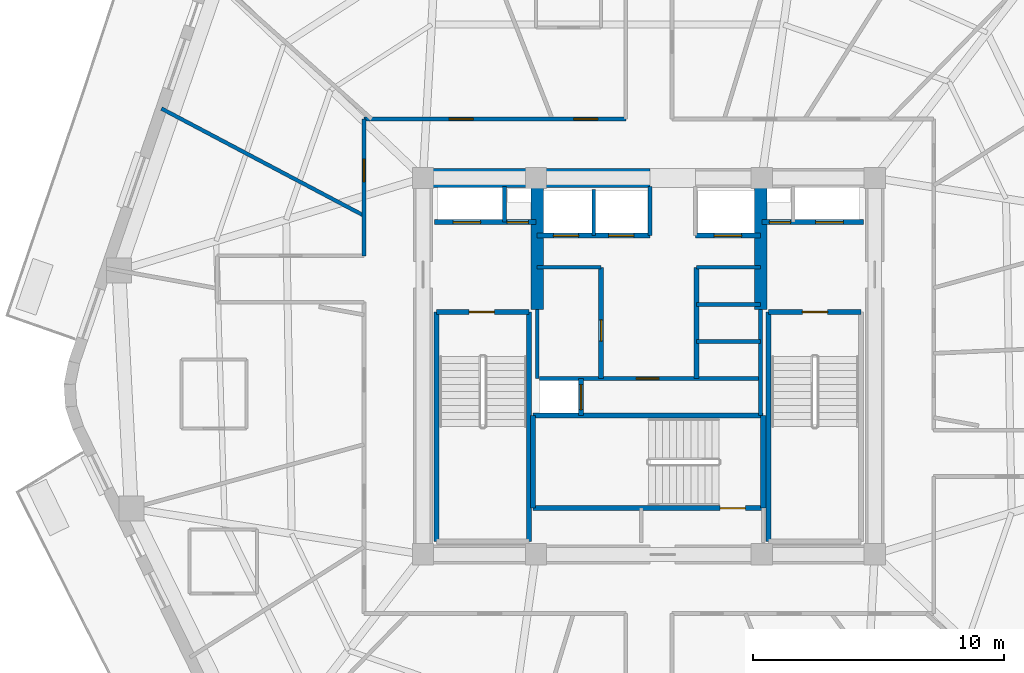
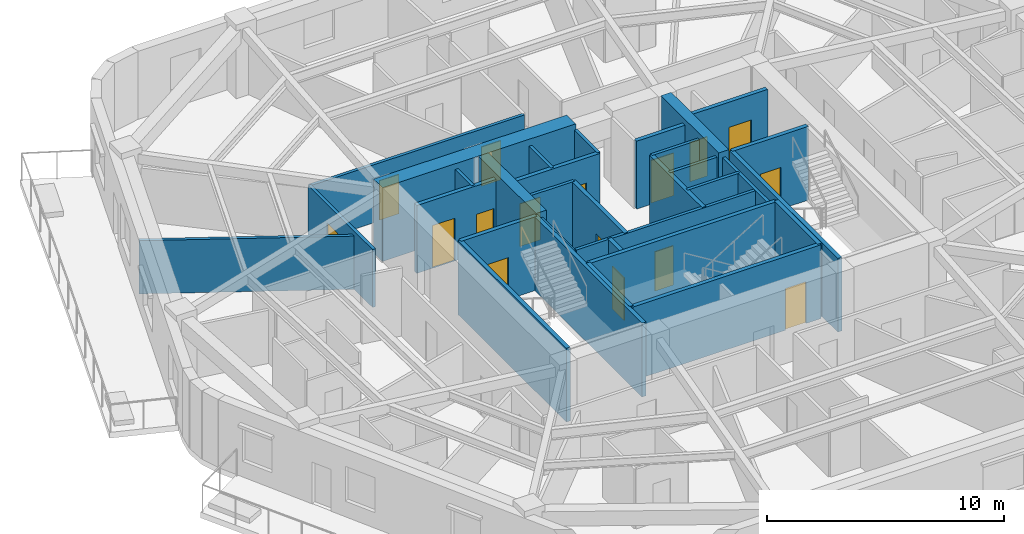
# One storey, part 4 of 10: 32 walls, 16 doors, 16 openings.
"""IFC4 building model written with IfcOpenShell, lengths in metres."""

import ifcopenshell
import ifcopenshell.guid

model = None  # the IFC model being written
_history = None  # IfcOwnerHistory: only IFC2X3 demands one
_inside = {}  # id of a spatial element -> (the spatial element, [elements in it])
_under = {}  # id of a project, library or spatial element -> (it, [spatial elements below it])
_declared = {}  # id of a project -> (the project, [libraries it declares])
_typed = {}  # id of a type object -> (the type object, [elements of that type])
_made_of = {}  # id of a material, layer set ... -> (it, [elements and type objects made of it])


def new_model(schema):
    """Start an empty IFC model of exactly this schema.

    Asked for "IFC4X3", IfcOpenShell would pick the latest addendum, in which some entities
    have other attributes; the version numbers below select the first issue.
    IFC2X3 requires an IfcOwnerHistory on every rooted entity: one is made here for all.
    """
    global model, _history
    if schema == "IFC4X3":
        model = ifcopenshell.file(schema_version=(4, 3, 0, 0))
    else:
        model = ifcopenshell.file(schema=schema)
    _inside.clear()
    _under.clear()
    _declared.clear()
    _typed.clear()
    _made_of.clear()
    _history = None
    if model.schema == "IFC2X3":
        org = make("IfcOrganization", Name="unknown")
        user = make(
            "IfcPersonAndOrganization",
            ThePerson=make("IfcPerson", FamilyName="unknown"),
            TheOrganization=org,
        )
        app = make(
            "IfcApplication",
            ApplicationDeveloper=org,
            Version="unknown",
            ApplicationFullName="unknown",
            ApplicationIdentifier="unknown",
        )
        _history = make(
            "IfcOwnerHistory",
            OwningUser=user,
            OwningApplication=app,
            ChangeAction="ADDED",
            CreationDate=0,
        )
    return model


def make(cls, **values):
    """One entity of the class cls with the attributes given. An attribute that is None is left unset."""
    return model.create_entity(
        cls, **{name: value for name, value in values.items() if value is not None}
    )


def rooted(cls, **values):
    """An entity with a GlobalId (a new one), such as an element, a storey or a relation."""
    return make(cls, GlobalId=ifcopenshell.guid.new(), OwnerHistory=_history, **values)


def si_unit(unit_type, name, prefix=None):
    """IfcSIUnit, for example si_unit("LENGTHUNIT", "METRE", prefix="MILLI")."""
    return make("IfcSIUnit", UnitType=unit_type, Prefix=prefix, Name=name)


def assignment(units):
    """IfcUnitAssignment: the units of a project."""
    return None if units is None else make("IfcUnitAssignment", Units=units)


def point(xyz):
    """IfcCartesianPoint."""
    return None if xyz is None else make("IfcCartesianPoint", Coordinates=xyz)


def direction(xyz):
    """IfcDirection."""
    return None if xyz is None else make("IfcDirection", DirectionRatios=xyz)


def frame(location, z_axis=None, x_axis=None):
    """IfcAxis2Placement3D, a coordinate frame: its origin and axes. An axis left out is left unset."""
    return make(
        "IfcAxis2Placement3D",
        Location=point(location),
        Axis=direction(z_axis),
        RefDirection=direction(x_axis),
    )


def frame_2d(location, x_axis=None):
    """IfcAxis2Placement2D, a coordinate frame in the plane: its origin and x axis."""
    return make(
        "IfcAxis2Placement2D", Location=point(location), RefDirection=direction(x_axis)
    )


def origin():
    """The frame at (0, 0, 0) with its axes left unset."""
    return frame((0.0, 0.0, 0.0))


def place(relative_to, where):
    """IfcLocalPlacement: puts the frame where relative to a parent placement (None: the world)."""
    return make(
        "IfcLocalPlacement", PlacementRelTo=relative_to, RelativePlacement=where
    )


def context(
    kind, dimensions, precision=None, world=None, true_north=None, identifier=None
):
    """IfcGeometricRepresentationContext, for example the 3D "Model" context."""
    return make(
        "IfcGeometricRepresentationContext",
        ContextIdentifier=identifier,
        ContextType=kind,
        CoordinateSpaceDimension=dimensions,
        Precision=precision,
        WorldCoordinateSystem=world,
        TrueNorth=true_north,
    )


def subcontext(parent, identifier, kind, view, scale=None):
    """IfcGeometricRepresentationSubContext, for example "Body" below "Model"."""
    return make(
        "IfcGeometricRepresentationSubContext",
        ContextIdentifier=identifier,
        ContextType=kind,
        ParentContext=parent,
        TargetScale=scale,
        TargetView=view,
    )


def project(units=None, contexts=None):
    """IfcProject with its units and contexts."""
    return rooted(
        "IfcProject",
        Name="project",
        RepresentationContexts=contexts,
        UnitsInContext=assignment(units),
    )


def spatial(cls, under=None, at=None, **own):
    """A site, building, storey or space (cls), placed at a placement, below another one or the project."""
    s = rooted(cls, ObjectPlacement=at, **own)
    if under is not None:
        _under.setdefault(under.id(), (under, []))[1].append(s)
    return s


def profile(cls, at=None, kind="AREA", **sizes):
    """A parametric profile (cls). Its sizes go by their IFC names, for example OverallWidth=200.0."""
    return make(cls, ProfileType=kind, Position=at, **sizes)


def rectangle(**sizes):
    """IfcRectangleProfileDef."""
    return profile("IfcRectangleProfileDef", **sizes)


def extrude(swept, where, along, depth):
    """IfcExtrudedAreaSolid: the profile swept, set in the frame where, extruded along a direction by depth."""
    return make(
        "IfcExtrudedAreaSolid",
        SweptArea=swept,
        Position=where,
        ExtrudedDirection=direction(along),
        Depth=depth,
    )


def shape(context_of_items, identifier, shape_type, items):
    """IfcShapeRepresentation: the items that make up one representation, for example the "Body"."""
    return make(
        "IfcShapeRepresentation",
        ContextOfItems=context_of_items,
        RepresentationIdentifier=identifier,
        RepresentationType=shape_type,
        Items=items,
    )


def material(Name=None, Category=None):
    """IfcMaterial."""
    return make("IfcMaterial", Name=Name, Category=Category)


def layer(
    of_material, thickness, ventilated=None, Name=None, Category=None, Priority=None
):
    """IfcMaterialLayer: one layer of a wall or slab, of a material (None: an air gap)."""
    return make(
        "IfcMaterialLayer",
        Material=of_material,
        LayerThickness=thickness,
        IsVentilated=ventilated,
        Name=Name,
        Category=Category,
        Priority=Priority,
    )


def layer_set(layers, Name=None):
    """IfcMaterialLayerSet."""
    return make("IfcMaterialLayerSet", MaterialLayers=layers, LayerSetName=Name)


def made_of(thing, what):
    """Note that an element or type object is made of a material, layer set ...; save() writes the relation."""
    if what is not None:
        _made_of.setdefault(what.id(), (what, []))[1].append(thing)
    return thing


def type_object(cls, material=None, **own):
    """A type object (cls), such as IfcWallType, which elements share."""
    return made_of(rooted(cls, **own), material)


def element(
    cls,
    number,
    at=None,
    inside=None,
    cuts=None,
    type_object=None,
    material=None,
    context=None,
    identifier="Body",
    shape_type=None,
    held_by="IfcProductDefinitionShape",
    body=None,
    shapes=None,
    **own,
):
    """One element of the class cls, such as IfcWall. Its Tag is "e" and its number.

    at: its placement. inside: the storey or other place that contains it. cuts: it is an
    opening in that element (IfcRelVoidsElement). A single representation is given by context,
    identifier, shape_type and body (its items); several are given by shapes. held_by: the class
    of the entity that holds the representations. save() writes the other relations.
    """
    e = rooted(cls, Tag="e%d" % number, ObjectPlacement=at, **own)
    if body is not None:
        shapes = [shape(context, identifier, shape_type, body)]
    if shapes is not None:
        e.Representation = make(held_by, Representations=shapes)
    if inside is not None:
        _inside.setdefault(inside.id(), (inside, []))[1].append(e)
    if cuts is not None:
        rooted(
            "IfcRelVoidsElement", RelatingBuildingElement=cuts, RelatedOpeningElement=e
        )
    if type_object is not None:
        _typed.setdefault(type_object.id(), (type_object, []))[1].append(e)
    return made_of(e, material)


def fill(opening, filler):
    """IfcRelFillsElement: the door or window that sits in an opening."""
    return rooted(
        "IfcRelFillsElement",
        RelatingOpeningElement=opening,
        RelatedBuildingElement=filler,
    )


def aggregate(whole, parts):
    """IfcRelAggregates: a whole, such as a stair, and the parts it consists of."""
    return rooted("IfcRelAggregates", RelatingObject=whole, RelatedObjects=parts)


def save(model, path):
    """Write the relations noted so far, then the file.

    IfcRelAggregates (storeys below a building ...), IfcRelContainedInSpatialStructure (elements
    in a storey), IfcRelDefinesByType, IfcRelAssociatesMaterial and IfcRelDeclares: one each for
    every whole, place, type object, material and project.
    """
    for whole, parts in _under.values():
        aggregate(whole, parts)
    for where, things in _inside.values():
        rooted(
            "IfcRelContainedInSpatialStructure",
            RelatedElements=things,
            RelatingStructure=where,
        )
    for kind, things in _typed.values():
        rooted("IfcRelDefinesByType", RelatedObjects=things, RelatingType=kind)
    for what, things in _made_of.values():
        rooted("IfcRelAssociatesMaterial", RelatedObjects=things, RelatingMaterial=what)
    for by, libraries in _declared.values():
        rooted("IfcRelDeclares", RelatingContext=by, RelatedDefinitions=libraries)
    model.write(path)


model = new_model("IFC4")

# Units and contexts
model_context = context("Model", 3, precision=1e-05, world=origin(), true_north=direction((0.0, 1.0)))
body_context = subcontext(model_context, "Body", "Model", "MODEL_VIEW")
ifc_project = project(units=[si_unit("LENGTHUNIT", "METRE"), si_unit("AREAUNIT", "SQUARE_METRE"), si_unit("VOLUMEUNIT", "CUBIC_METRE"), si_unit("PLANEANGLEUNIT", "RADIAN"), si_unit("MASSUNIT", "GRAM", prefix="KILO")], contexts=[model_context])

# Site, building, storey
site_placement = place(None, origin())
site = spatial("IfcSite", under=ifc_project, at=site_placement, CompositionType="ELEMENT")
building_placement = place(site_placement, origin())
building = spatial("IfcBuilding", under=site, at=building_placement, Name="Kilnhurst Terrace Hotel", CompositionType="ELEMENT")
storey_placement = place(building_placement, frame((0.0, 0.0, 206.5)))
storey = spatial("IfcBuildingStorey", under=building, at=storey_placement, Name="L51", CompositionType="ELEMENT", Elevation=206.5)

# Wall, opening, door
ifc_material_1 = material(Name="Acoustic Double-Gypsum Corridor Partition Assembly")
ifc_layer_1 = layer(ifc_material_1, 0.14990234375, Name="Acoustic Double-Gypsum Corridor Partition Assembly")
ifc_layer_set_1 = layer_set([ifc_layer_1], Name="Acoustic Double-Gypsum Corridor Partition Assembly")
wall_type_1 = type_object("IfcWallType", Name="WL-COR-150", PredefinedType="PARTITIONING", material=ifc_layer_set_1)
wall_1_placement = place(storey_placement, frame((-11.35009765625, 4.39990234375, 0.0), z_axis=(0.0, 0.0, 1.0), x_axis=(0.0, 1.0, 0.0)))
wall_1 = element("IfcWall", 1, at=wall_1_placement, inside=storey, type_object=wall_type_1, Name="L51 Interior Wall WL-L51-COR-05", PredefinedType="PARTITIONING", context=body_context, shape_type="SweptSolid", body=[
    extrude(rectangle(XDim=5.4501953125, YDim=0.14990234375, at=frame_2d((2.72509765625, 0.0))), origin(), (0.0, 0.0, 1.0), 2.989990234375),
])
opening_1_placement = place(wall_1_placement, frame((2.955078125, 0.0, 0.0)))
opening_1 = element("IfcOpeningElement", 2, at=opening_1_placement, cuts=wall_1, Name="Opening D-60C", PredefinedType="OPENING", context=body_context, shape_type="SweptSolid", body=[
    extrude(rectangle(XDim=0.89990234375, YDim=2.030029296875, at=frame_2d((0.449951171875, 1.01513671875))), frame((0.0, 0.0849609375, 0.0), z_axis=(0.0, -1.0, 0.0), x_axis=(1.0, 0.0, 0.0)), (0.0, 0.0, 1.0), 0.169921875),
])
ifc_material_2 = material(Name="Painted Solid-Core Service Fire Door")
door_type_1 = type_object("IfcDoorType", Name="DR-FD60-900", OperationType="NOTDEFINED", PredefinedType="DOOR", material=ifc_material_2)
door_1_placement = place(opening_1_placement, origin())
door_1 = element("IfcDoor", 3, at=door_1_placement, inside=storey, type_object=door_type_1, Name="L51 Private Meeting Salon Door 9", OperationType="SINGLE_SWING_LEFT", OverallHeight=2.030029296875, OverallWidth=0.89990234375, PredefinedType="DOOR", context=body_context, shape_type="SweptSolid", body=[
    extrude(rectangle(XDim=0.89990234375, YDim=2.030029296875, at=frame_2d((0.449951171875, 1.01513671875))), frame((0.0, 0.02490234375, 0.0), z_axis=(0.0, -1.0, 0.0), x_axis=(1.0, 0.0, 0.0)), (0.0, 0.0, 1.0), 0.050048828125),
])
fill(opening_1, door_1)

# Wall, openings, doors
wall_2_placement = place(storey_placement, frame((-11.35009765625, 9.85009765625, 0.0), z_axis=(0.0, 0.0, 1.0), x_axis=(1.0, 0.0, 0.0)))
wall_2 = element("IfcWall", 4, at=wall_2_placement, inside=storey, type_object=wall_type_1, Name="L51 Interior Wall WL-L51-COR-06", PredefinedType="PARTITIONING", context=body_context, shape_type="SweptSolid", body=[
    extrude(rectangle(XDim=10.43017578125, YDim=0.14990234375, at=frame_2d((5.215087890625, 0.0))), origin(), (0.0, 0.0, 1.0), 2.989990234375),
])
opening_2_placement = place(wall_2_placement, frame((8.362060546875, 0.0, 0.0)))
opening_2 = element("IfcOpeningElement", 5, at=opening_2_placement, cuts=wall_2, Name="Opening D-60B", PredefinedType="OPENING", context=body_context, shape_type="SweptSolid", body=[
    extrude(rectangle(XDim=0.949951171875, YDim=2.030029296875, at=frame_2d((0.47509765625, 1.01513671875))), frame((0.0, 0.0849609375, 0.0), z_axis=(0.0, -1.0, 0.0), x_axis=(1.0, 0.0, 0.0)), (0.0, 0.0, 1.0), 0.169921875),
])
opening_3_placement = place(wall_2_placement, frame((3.39599609375, 0.0, 0.0)))
opening_3 = element("IfcOpeningElement", 6, at=opening_3_placement, cuts=wall_2, Name="Opening D-60B", PredefinedType="OPENING", context=body_context, shape_type="SweptSolid", body=[
    extrude(rectangle(XDim=0.949951171875, YDim=2.030029296875, at=frame_2d((0.47509765625, 1.01513671875))), frame((0.0, 0.0849609375, 0.0), z_axis=(0.0, -1.0, 0.0), x_axis=(1.0, 0.0, 0.0)), (0.0, 0.0, 1.0), 0.169921875),
])
ifc_material_3 = material(Name="Acoustic Walnut Veneer Solid-Core Fire Door")
door_type_2 = type_object("IfcDoorType", Name="DR-FD60-950", OperationType="NOTDEFINED", PredefinedType="DOOR", material=ifc_material_3)
door_2_placement = place(opening_2_placement, origin())
door_2 = element("IfcDoor", 7, at=door_2_placement, inside=storey, type_object=door_type_2, Name="L51 Guest Room Entry Door 7", OperationType="SINGLE_SWING_LEFT", OverallHeight=2.030029296875, OverallWidth=0.949951171875, PredefinedType="DOOR", context=body_context, shape_type="SweptSolid", body=[
    extrude(rectangle(XDim=0.949951171875, YDim=2.030029296875, at=frame_2d((0.47509765625, 1.01513671875))), frame((0.0, 0.02490234375, 0.0), z_axis=(0.0, -1.0, 0.0), x_axis=(1.0, 0.0, 0.0)), (0.0, 0.0, 1.0), 0.050048828125),
])
fill(opening_2, door_2)
door_3_placement = place(opening_3_placement, origin())
door_3 = element("IfcDoor", 8, at=door_3_placement, inside=storey, type_object=door_type_2, Name="L51 Upper Flare Club Lounge Door", OperationType="SINGLE_SWING_RIGHT", OverallHeight=2.030029296875, OverallWidth=0.949951171875, PredefinedType="DOOR", context=body_context, shape_type="SweptSolid", body=[
    extrude(rectangle(XDim=0.949951171875, YDim=2.030029296875, at=frame_2d((0.47509765625, 1.01513671875))), frame((0.0, 0.02490234375, 0.0), z_axis=(0.0, -1.0, 0.0), x_axis=(1.0, 0.0, 0.0)), (0.0, 0.0, 1.0), 0.050048828125),
])
fill(opening_3, door_3)

# Walls
ifc_material_4 = material(Name="Concrete C60/75", Category="concrete")
ifc_layer_2 = layer(ifc_material_4, 0.75, Name="Concrete C60/75")
ifc_layer_set_2 = layer_set([ifc_layer_2], Name="Concrete C60/75")
wall_type_2 = type_object("IfcWallType", Name="WL-CORE-750", PredefinedType="SHEAR", material=ifc_layer_set_2)
wall_3_placement = place(storey_placement, frame((-9.375, 7.5, 0.0), z_axis=(0.0, 0.0, 1.0), x_axis=(1.0, 0.0, 0.0)))
element("IfcWall", 9, at=wall_3_placement, inside=storey, type_object=wall_type_2, Name="L51 Core North West Shear Wall", PredefinedType="SHEAR", context=body_context, shape_type="SweptSolid", body=[
    extrude(rectangle(XDim=9.425048828125, YDim=0.75, at=frame_2d((4.71240234375, 0.0))), origin(), (0.0, 0.0, 1.0), 3.800048828125),
])
ifc_layer_3 = layer(ifc_material_4, 0.5, Name="Concrete C60/75")
ifc_layer_set_3 = layer_set([ifc_layer_3], Name="Concrete C60/75")
wall_type_3 = type_object("IfcWallType", Name="WL-CORE-WEB-500", PredefinedType="SHEAR", material=ifc_layer_set_3)
for number, where, z_axis, x_axis, name in (
    (10, (-4.449951171875, 2.25, 0.0), (0.0, 0.0, 1.0), (0.0, 1.0, 0.0), "L51 Core Internal West Shear Web"),
    (11, (4.449951171875, 2.25, 0.0), (0.0, 0.0, 1.0), (0.0, 1.0, 0.0), "L51 Core Internal East Shear Web"),
):
    element("IfcWall", number, at=place(storey_placement, frame(where, z_axis=z_axis, x_axis=x_axis)), inside=storey, type_object=wall_type_3, Name=name, PredefinedType="SHEAR", context=body_context, shape_type="SweptSolid", body=[
        extrude(rectangle(XDim=4.875, YDim=0.5, at=frame_2d((2.4375, 0.0))), origin(), (0.0, 0.0, 1.0), 3.800048828125),
    ])
ifc_material_5 = material(Name="STC-58 Acoustic Twin-Frame Guestroom Demising Partition")
ifc_layer_4 = layer(ifc_material_5, 0.14990234375, Name="STC-58 Acoustic Twin-Frame Guestroom Demising Partition")
ifc_layer_set_4 = layer_set([ifc_layer_4], Name="STC-58 Acoustic Twin-Frame Guestroom Demising Partition")
wall_type_4 = type_object("IfcWallType", Name="WL-DEM-150", PredefinedType="PARTITIONING", material=ifc_layer_set_4)
wall_4_placement = place(storey_placement, frame((-11.35009765625, 5.9990234375, 0.0), z_axis=(0.0, 0.0, 1.0), x_axis=(-0.884112301724, 0.467274478161, 0.0)))
element("IfcWall", 12, at=wall_4_placement, inside=storey, type_object=wall_type_4, Name="L51 Interior Wall WL-L51-DEM-MID05-10-1", PredefinedType="PARTITIONING", context=body_context, shape_type="SweptSolid", body=[
    extrude(rectangle(XDim=9.129150390625, YDim=0.14990234375, at=frame_2d((4.564453125, 0.0))), origin(), (0.0, 0.0, 1.0), 2.739990234375),
])
ifc_material_6 = material(Name="Fire-Rated Gypsum Shaftliner Assembly")
ifc_layer_5 = layer(ifc_material_6, 0.14990234375, Name="Fire-Rated Gypsum Shaftliner Assembly")
ifc_layer_set_5 = layer_set([ifc_layer_5], Name="Fire-Rated Gypsum Shaftliner Assembly")
wall_type_5 = type_object("IfcWallType", Name="WL-SHAFT-150", PredefinedType="PARTITIONING", material=ifc_layer_set_5)
wall_5_placement = place(storey_placement, frame((-5.75, 5.739990234375, 0.0), z_axis=(0.0, 0.0, 1.0), x_axis=(0.0, 1.0, 0.0)))
element("IfcWall", 13, at=wall_5_placement, inside=storey, type_object=wall_type_5, Name="L51 Interior Wall WL-L51-RIS1-DIV", PredefinedType="PARTITIONING", context=body_context, shape_type="SweptSolid", body=[
    extrude(rectangle(XDim=1.409912109375, YDim=0.14990234375, at=frame_2d((0.705078125, 0.0))), origin(), (0.0, 0.0, 1.0), 3.5),
])
wall_6_placement = place(storey_placement, frame((-2.199951171875, 5.199951171875, 0.0), z_axis=(0.0, 0.0, 1.0), x_axis=(0.0, 1.0, 0.0)))
element("IfcWall", 14, at=wall_6_placement, inside=storey, type_object=wall_type_5, Name="L51 Interior Wall WL-L51-HR-DIV1", PredefinedType="PARTITIONING", context=body_context, shape_type="SweptSolid", body=[
    extrude(rectangle(XDim=1.85009765625, YDim=0.14990234375, at=frame_2d((0.925048828125, 0.0))), origin(), (0.0, 0.0, 1.0), 3.5),
])
wall_7_placement = place(storey_placement, frame((0.050048828125, 5.199951171875, 0.0), z_axis=(0.0, 0.0, 1.0), x_axis=(0.0, 1.0, 0.0)))
element("IfcWall", 15, at=wall_7_placement, inside=storey, type_object=wall_type_5, Name="L51 Interior Wall WL-L51-HR-PORTAL-W", PredefinedType="PARTITIONING", context=body_context, shape_type="SweptSolid", body=[
    extrude(rectangle(XDim=1.949951171875, YDim=0.14990234375, at=frame_2d((0.97509765625, 0.0))), origin(), (0.0, 0.0, 1.0), 3.5),
])
wall_8_placement = place(storey_placement, frame((-4.449951171875, -0.5, 0.0), z_axis=(0.0, 0.0, 1.0), x_axis=(0.0, 1.0, 0.0)))
element("IfcWall", 16, at=wall_8_placement, inside=storey, type_object=wall_type_5, Name="L51 Interior Wall WL-L51-XLOB-W", PredefinedType="PARTITIONING", context=body_context, shape_type="SweptSolid", body=[
    extrude(rectangle(XDim=2.75, YDim=0.14990234375, at=frame_2d((1.375, 0.0))), origin(), (0.0, 0.0, 1.0), 3.5),
])
wall_9_placement = place(storey_placement, frame((4.449951171875, -1.971923828125, 0.0), z_axis=(0.0, 0.0, 1.0), x_axis=(0.0, 1.0, 0.0)))
element("IfcWall", 17, at=wall_9_placement, inside=storey, type_object=wall_type_5, Name="L51 Interior Wall WL-L51-XLOB-E", PredefinedType="PARTITIONING", context=body_context, shape_type="SweptSolid", body=[
    extrude(rectangle(XDim=4.221923828125, YDim=0.14990234375, at=frame_2d((2.11083984375, 0.0))), origin(), (0.0, 0.0, 1.0), 3.5),
])
for number, where, z_axis, x_axis, name in (
    (18, (-4.449951171875, 3.93994140625, 0.0), (0.0, 0.0, 1.0), (1.0, 0.0, 0.0), "L51 Interior Wall WL-L51-LR-NORTH"),
    (19, (1.89990234375, 3.93994140625, 0.0), (0.0, 0.0, 1.0), (1.0, 0.0, 0.0), "L51 Interior Wall WL-L51-MR-NORTH"),
    (20, (1.89990234375, 0.97998046875, 0.0), (0.0, 0.0, 1.0), (1.0, 0.0, 0.0), "L51 Interior Wall WL-L51-MR-D1"),
    (21, (1.89990234375, 2.4599609375, 0.0), (0.0, 0.0, 1.0), (1.0, 0.0, 0.0), "L51 Interior Wall WL-L51-MR-D2"),
):
    element("IfcWall", number, at=place(storey_placement, frame(where, z_axis=z_axis, x_axis=x_axis)), inside=storey, type_object=wall_type_5, Name=name, PredefinedType="PARTITIONING", context=body_context, shape_type="SweptSolid", body=[
        extrude(rectangle(XDim=2.550048828125, YDim=0.14990234375, at=frame_2d((1.27490234375, 0.0))), origin(), (0.0, 0.0, 1.0), 3.5),
    ])

# Wall, opening, door
wall_10_placement = place(storey_placement, frame((-4.360107421875, -0.489990234375, 0.0), z_axis=(0.0, 0.0, 1.0), x_axis=(1.0, 0.0, 0.0)))
wall_10 = element("IfcWall", 22, at=wall_10_placement, inside=storey, type_object=wall_type_5, Name="L51 Interior Wall WL-L51-BOH-N", PredefinedType="PARTITIONING", context=body_context, shape_type="SweptSolid", body=[
    extrude(rectangle(XDim=8.72021484375, YDim=0.14990234375, at=frame_2d((4.360107421875, 0.0))), origin(), (0.0, 0.0, 1.0), 3.5),
])
opening_4_placement = place(wall_10_placement, frame((3.860107421875, 0.0, 0.0)))
opening_4 = element("IfcOpeningElement", 23, at=opening_4_placement, cuts=wall_10, Name="Opening D-60C", PredefinedType="OPENING", context=body_context, shape_type="SweptSolid", body=[
    extrude(rectangle(XDim=0.89990234375, YDim=2.030029296875, at=frame_2d((0.449951171875, 1.01513671875))), frame((0.0, 0.0849609375, 0.0), z_axis=(0.0, -1.0, 0.0), x_axis=(1.0, 0.0, 0.0)), (0.0, 0.0, 1.0), 0.169921875),
])
door_4_placement = place(opening_4_placement, origin())
door_4 = element("IfcDoor", 24, at=door_4_placement, inside=storey, type_object=door_type_1, Name="L51 Housekeeping Laundry Door", OperationType="SINGLE_SWING_LEFT", OverallHeight=2.030029296875, OverallWidth=0.89990234375, PredefinedType="DOOR", context=body_context, shape_type="SweptSolid", body=[
    extrude(rectangle(XDim=0.89990234375, YDim=2.030029296875, at=frame_2d((0.449951171875, 1.01513671875))), frame((0.0, 0.02490234375, 0.0), z_axis=(0.0, -1.0, 0.0), x_axis=(1.0, 0.0, 0.0)), (0.0, 0.0, 1.0), 0.050048828125),
])
fill(opening_4, door_4)

# Wall, openings, doors
ifc_material_7 = material(Name="Autoclaved Aerated Concrete C30/37 and Gypsum Shaft Assembly", Category="concrete")
ifc_layer_6 = layer(ifc_material_7, 0.199951171875, Name="Autoclaved Aerated Concrete C30/37 and Gypsum Shaft Assembly")
ifc_layer_set_6 = layer_set([ifc_layer_6], Name="Autoclaved Aerated Concrete C30/37 and Gypsum Shaft Assembly")
wall_type_6 = type_object("IfcWallType", Name="WL-SHAFT-200", PredefinedType="PARTITIONING", material=ifc_layer_set_6)
wall_11_placement = place(storey_placement, frame((-8.550048828125, 5.739990234375, 0.0), z_axis=(0.0, 0.0, 1.0), x_axis=(1.0, 0.0, 0.0)))
wall_11 = element("IfcWall", 25, at=wall_11_placement, inside=storey, type_object=wall_type_6, Name="L51 Interior Wall WL-L51-FSAE1-S", PredefinedType="PARTITIONING", context=body_context, shape_type="SweptSolid", body=[
    extrude(rectangle(XDim=4.050048828125, YDim=0.199951171875, at=frame_2d((2.02490234375, 0.0))), origin(), (0.0, 0.0, 1.0), 3.5),
])
opening_5_placement = place(wall_11_placement, frame((0.75, 0.0, 0.0)))
opening_5 = element("IfcOpeningElement", 26, at=opening_5_placement, cuts=wall_11, Name="Opening LD-F1", PredefinedType="OPENING", context=body_context, shape_type="SweptSolid", body=[
    extrude(rectangle(XDim=1.10009765625, YDim=2.199951171875, at=frame_2d((0.550048828125, 1.10009765625))), frame((0.0, 0.10986328125, 0.0), z_axis=(0.0, -1.0, 0.0), x_axis=(1.0, 0.0, 0.0)), (0.0, 0.0, 1.0), 0.219970703125),
])
opening_6_placement = place(wall_11_placement, frame((2.89990234375, 0.0, 0.0)))
opening_6 = element("IfcOpeningElement", 27, at=opening_6_placement, cuts=wall_11, Name="Opening D-60D", PredefinedType="OPENING", context=body_context, shape_type="SweptSolid", body=[
    extrude(rectangle(XDim=0.85009765625, YDim=2.030029296875, at=frame_2d((0.425048828125, 1.01513671875))), frame((0.0, 0.10986328125, 0.0), z_axis=(0.0, -1.0, 0.0), x_axis=(1.0, 0.0, 0.0)), (0.0, 0.0, 1.0), 0.219970703125),
])
ifc_material_8 = material(Name="Painted Hollow Metal Steel ASTM A36 Riser Door", Category="steel")
door_type_3 = type_object("IfcDoorType", Name="DR-FD60-850", OperationType="NOTDEFINED", PredefinedType="DOOR", material=ifc_material_8)
door_5_placement = place(opening_6_placement, origin())
door_5 = element("IfcDoor", 28, at=door_5_placement, inside=storey, type_object=door_type_3, Name="L51 Electrical Riser Door", OperationType="SINGLE_SWING_LEFT", OverallHeight=2.030029296875, OverallWidth=0.85009765625, PredefinedType="DOOR", context=body_context, shape_type="SweptSolid", body=[
    extrude(rectangle(XDim=0.85009765625, YDim=2.030029296875, at=frame_2d((0.425048828125, 1.01513671875))), frame((0.0, 0.02490234375, 0.0), z_axis=(0.0, -1.0, 0.0), x_axis=(1.0, 0.0, 0.0)), (0.0, 0.0, 1.0), 0.050048828125),
])
fill(opening_6, door_5)
ifc_material_9 = material(Name="Bronze-Anodized Stainless Steel AISI 316L Sliding Door", Category="steel")
door_type_4 = type_object("IfcDoorType", Name="DR-LIFT-1100", OperationType="NOTDEFINED", PredefinedType="DOOR", material=ifc_material_9)
door_6_placement = place(opening_5_placement, origin())
door_6 = element("IfcDoor", 29, at=door_6_placement, inside=storey, type_object=door_type_4, Name="L51 FSAE-1 Landing Door", OperationType="SLIDING_TO_LEFT", OverallHeight=2.199951171875, OverallWidth=1.10009765625, PredefinedType="DOOR", context=body_context, shape_type="SweptSolid", body=[
    extrude(rectangle(XDim=1.10009765625, YDim=2.199951171875, at=frame_2d((0.550048828125, 1.10009765625))), frame((0.0, 0.02490234375, 0.0), z_axis=(0.0, -1.0, 0.0), x_axis=(1.0, 0.0, 0.0)), (0.0, 0.0, 1.0), 0.050048828125),
])
fill(opening_5, door_6)

wall_12_placement = place(storey_placement, frame((4.5, 5.739990234375, 0.0), z_axis=(0.0, 0.0, 1.0), x_axis=(1.0, 0.0, 0.0)))
wall_12 = element("IfcWall", 30, at=wall_12_placement, inside=storey, type_object=wall_type_6, Name="L51 Interior Wall WL-L51-FSAE2-S", PredefinedType="PARTITIONING", context=body_context, shape_type="SweptSolid", body=[
    extrude(rectangle(XDim=4.050048828125, YDim=0.199951171875, at=frame_2d((2.02490234375, 0.0))), origin(), (0.0, 0.0, 1.0), 3.5),
])
opening_7_placement = place(wall_12_placement, frame((0.300048828125, 0.0, 0.0)))
opening_7 = element("IfcOpeningElement", 31, at=opening_7_placement, cuts=wall_12, Name="Opening D-60D", PredefinedType="OPENING", context=body_context, shape_type="SweptSolid", body=[
    extrude(rectangle(XDim=0.85009765625, YDim=2.030029296875, at=frame_2d((0.425048828125, 1.01513671875))), frame((0.0, 0.10986328125, 0.0), z_axis=(0.0, -1.0, 0.0), x_axis=(1.0, 0.0, 0.0)), (0.0, 0.0, 1.0), 0.219970703125),
])
opening_8_placement = place(wall_12_placement, frame((2.14990234375, 0.0, 0.0)))
opening_8 = element("IfcOpeningElement", 32, at=opening_8_placement, cuts=wall_12, Name="Opening LD-F2", PredefinedType="OPENING", context=body_context, shape_type="SweptSolid", body=[
    extrude(rectangle(XDim=1.10009765625, YDim=2.199951171875, at=frame_2d((0.550048828125, 1.10009765625))), frame((0.0, 0.10986328125, 0.0), z_axis=(0.0, -1.0, 0.0), x_axis=(1.0, 0.0, 0.0)), (0.0, 0.0, 1.0), 0.219970703125),
])
door_7_placement = place(opening_7_placement, origin())
door_7 = element("IfcDoor", 33, at=door_7_placement, inside=storey, type_object=door_type_3, Name="L51 Telecom Riser Door", OperationType="SINGLE_SWING_RIGHT", OverallHeight=2.030029296875, OverallWidth=0.85009765625, PredefinedType="DOOR", context=body_context, shape_type="SweptSolid", body=[
    extrude(rectangle(XDim=0.85009765625, YDim=2.030029296875, at=frame_2d((0.425048828125, 1.01513671875))), frame((0.0, 0.02490234375, 0.0), z_axis=(0.0, -1.0, 0.0), x_axis=(1.0, 0.0, 0.0)), (0.0, 0.0, 1.0), 0.050048828125),
])
fill(opening_7, door_7)
door_8_placement = place(opening_8_placement, origin())
door_8 = element("IfcDoor", 34, at=door_8_placement, inside=storey, type_object=door_type_4, Name="L51 FSAE-2 Landing Door", OperationType="SLIDING_TO_RIGHT", OverallHeight=2.199951171875, OverallWidth=1.10009765625, PredefinedType="DOOR", context=body_context, shape_type="SweptSolid", body=[
    extrude(rectangle(XDim=1.10009765625, YDim=2.199951171875, at=frame_2d((0.550048828125, 1.10009765625))), frame((0.0, 0.02490234375, 0.0), z_axis=(0.0, -1.0, 0.0), x_axis=(1.0, 0.0, 0.0)), (0.0, 0.0, 1.0), 0.050048828125),
])
fill(opening_8, door_8)

# Wall, opening, door
wall_13_placement = place(storey_placement, frame((-2.699951171875, -1.971923828125, 0.0), z_axis=(0.0, 0.0, 1.0), x_axis=(0.0, 1.0, 0.0)))
wall_13 = element("IfcWall", 35, at=wall_13_placement, inside=storey, type_object=wall_type_6, Name="L51 Interior Wall WL-L51-SRV1-E", PredefinedType="PARTITIONING", context=body_context, shape_type="SweptSolid", body=[
    extrude(rectangle(XDim=1.471923828125, YDim=0.199951171875, at=frame_2d((0.73583984375, 0.0))), origin(), (0.0, 0.0, 1.0), 3.5),
])
opening_9_placement = place(wall_13_placement, frame((0.239990234375, 0.0, 0.0)))
opening_9 = element("IfcOpeningElement", 36, at=opening_9_placement, cuts=wall_13, Name="Opening LD-SV", PredefinedType="OPENING", context=body_context, shape_type="SweptSolid", body=[
    extrude(rectangle(XDim=1.0, YDim=2.199951171875, at=frame_2d((0.5, 1.10009765625))), frame((0.0, 0.10986328125, 0.0), z_axis=(0.0, -1.0, 0.0), x_axis=(1.0, 0.0, 0.0)), (0.0, 0.0, 1.0), 0.219970703125),
])
door_type_5 = type_object("IfcDoorType", Name="DR-LIFT-1000", OperationType="NOTDEFINED", PredefinedType="DOOR", material=ifc_material_9)
door_9_placement = place(opening_9_placement, origin())
door_9 = element("IfcDoor", 37, at=door_9_placement, inside=storey, type_object=door_type_5, Name="L51 Service Lift SRV-1 Landing Door", OperationType="SLIDING_TO_LEFT", OverallHeight=2.199951171875, OverallWidth=1.0, PredefinedType="DOOR", context=body_context, shape_type="SweptSolid", body=[
    extrude(rectangle(XDim=1.0, YDim=2.199951171875, at=frame_2d((0.5, 1.10009765625))), frame((0.0, 0.02490234375, 0.0), z_axis=(0.0, -1.0, 0.0), x_axis=(1.0, 0.0, 0.0)), (0.0, 0.0, 1.0), 0.050048828125),
])
fill(opening_9, door_9)

# Wall, openings, doors
wall_14_placement = place(storey_placement, frame((-4.449951171875, 5.199951171875, 0.0), z_axis=(0.0, 0.0, 1.0), x_axis=(1.0, 0.0, 0.0)))
wall_14 = element("IfcWall", 38, at=wall_14_placement, inside=storey, type_object=wall_type_6, Name="L51 Interior Wall WL-L51-HR-SW", PredefinedType="PARTITIONING", context=body_context, shape_type="SweptSolid", body=[
    extrude(rectangle(XDim=4.5, YDim=0.199951171875, at=frame_2d((2.25, 0.0))), origin(), (0.0, 0.0, 1.0), 3.5),
])
opening_10_placement = place(wall_14_placement, frame((0.64990234375, 0.0, 0.0)))
opening_10 = element("IfcOpeningElement", 39, at=opening_10_placement, cuts=wall_14, Name="Opening LD-HR", PredefinedType="OPENING", context=body_context, shape_type="SweptSolid", body=[
    extrude(rectangle(XDim=1.0, YDim=2.199951171875, at=frame_2d((0.5, 1.10009765625))), frame((0.0, 0.10986328125, 0.0), z_axis=(0.0, -1.0, 0.0), x_axis=(1.0, 0.0, 0.0)), (0.0, 0.0, 1.0), 0.219970703125),
])
opening_11_placement = place(wall_14_placement, frame((2.85009765625, 0.0, 0.0)))
opening_11 = element("IfcOpeningElement", 40, at=opening_11_placement, cuts=wall_14, Name="Opening LD-HS", PredefinedType="OPENING", context=body_context, shape_type="SweptSolid", body=[
    extrude(rectangle(XDim=1.0, YDim=2.199951171875, at=frame_2d((0.5, 1.10009765625))), frame((0.0, 0.10986328125, 0.0), z_axis=(0.0, -1.0, 0.0), x_axis=(1.0, 0.0, 0.0)), (0.0, 0.0, 1.0), 0.219970703125),
])
door_10_placement = place(opening_10_placement, origin())
door_10 = element("IfcDoor", 41, at=door_10_placement, inside=storey, type_object=door_type_5, Name="L51 High Rise Lift HR-1 Landing Door", OperationType="SLIDING_TO_LEFT", OverallHeight=2.199951171875, OverallWidth=1.0, PredefinedType="DOOR", context=body_context, shape_type="SweptSolid", body=[
    extrude(rectangle(XDim=1.0, YDim=2.199951171875, at=frame_2d((0.5, 1.10009765625))), frame((0.0, 0.02490234375, 0.0), z_axis=(0.0, -1.0, 0.0), x_axis=(1.0, 0.0, 0.0)), (0.0, 0.0, 1.0), 0.050048828125),
])
fill(opening_10, door_10)
door_11_placement = place(opening_11_placement, origin())
door_11 = element("IfcDoor", 42, at=door_11_placement, inside=storey, type_object=door_type_5, Name="L51 High Rise Lift HR-3 Landing Door", OperationType="SLIDING_TO_RIGHT", OverallHeight=2.199951171875, OverallWidth=1.0, PredefinedType="DOOR", context=body_context, shape_type="SweptSolid", body=[
    extrude(rectangle(XDim=1.0, YDim=2.199951171875, at=frame_2d((0.5, 1.10009765625))), frame((0.0, 0.02490234375, 0.0), z_axis=(0.0, -1.0, 0.0), x_axis=(1.0, 0.0, 0.0)), (0.0, 0.0, 1.0), 0.050048828125),
])
fill(opening_11, door_11)

# Wall, opening, door
wall_15_placement = place(storey_placement, frame((1.85009765625, 5.199951171875, 0.0), z_axis=(0.0, 0.0, 1.0), x_axis=(1.0, 0.0, 0.0)))
wall_15 = element("IfcWall", 43, at=wall_15_placement, inside=storey, type_object=wall_type_6, Name="L51 Interior Wall WL-L51-HR-SE", PredefinedType="PARTITIONING", context=body_context, shape_type="SweptSolid", body=[
    extrude(rectangle(XDim=2.599853515625, YDim=0.199951171875, at=frame_2d((1.2998046875, 0.0))), origin(), (0.0, 0.0, 1.0), 3.5),
])
opening_12_placement = place(wall_15_placement, frame((0.75, 0.0, 0.0)))
opening_12 = element("IfcOpeningElement", 44, at=opening_12_placement, cuts=wall_15, Name="Opening LD-H2", PredefinedType="OPENING", context=body_context, shape_type="SweptSolid", body=[
    extrude(rectangle(XDim=1.10009765625, YDim=2.199951171875, at=frame_2d((0.550048828125, 1.10009765625))), frame((0.0, 0.10986328125, 0.0), z_axis=(0.0, -1.0, 0.0), x_axis=(1.0, 0.0, 0.0)), (0.0, 0.0, 1.0), 0.219970703125),
])
door_12_placement = place(opening_12_placement, origin())
door_12 = element("IfcDoor", 45, at=door_12_placement, inside=storey, type_object=door_type_4, Name="L51 High Rise Lift HR-2 Landing Door", OperationType="SLIDING_TO_RIGHT", OverallHeight=2.199951171875, OverallWidth=1.10009765625, PredefinedType="DOOR", context=body_context, shape_type="SweptSolid", body=[
    extrude(rectangle(XDim=1.10009765625, YDim=2.199951171875, at=frame_2d((0.550048828125, 1.10009765625))), frame((0.0, 0.02490234375, 0.0), z_axis=(0.0, -1.0, 0.0), x_axis=(1.0, 0.0, 0.0)), (0.0, 0.0, 1.0), 0.050048828125),
])
fill(opening_12, door_12)

wall_16_placement = place(storey_placement, frame((-1.89990234375, -0.5, 0.0), z_axis=(0.0, 0.0, 1.0), x_axis=(0.0, 1.0, 0.0)))
wall_16 = element("IfcWall", 46, at=wall_16_placement, inside=storey, type_object=wall_type_6, Name="L51 Interior Wall WL-L51-LR-FRONT", PredefinedType="PARTITIONING", context=body_context, shape_type="SweptSolid", body=[
    extrude(rectangle(XDim=4.43994140625, YDim=0.199951171875, at=frame_2d((2.219970703125, 0.0))), origin(), (0.0, 0.0, 1.0), 3.5),
])
opening_13_placement = place(wall_16_placement, frame((1.5, 0.0, 0.0)))
opening_13 = element("IfcOpeningElement", 47, at=opening_13_placement, cuts=wall_16, Name="Opening D-60D", PredefinedType="OPENING", context=body_context, shape_type="SweptSolid", body=[
    extrude(rectangle(XDim=0.85009765625, YDim=2.030029296875, at=frame_2d((0.425048828125, 1.01513671875))), frame((0.0, 0.10986328125, 0.0), z_axis=(0.0, -1.0, 0.0), x_axis=(1.0, 0.0, 0.0)), (0.0, 0.0, 1.0), 0.219970703125),
])
door_13_placement = place(opening_13_placement, origin())
door_13 = element("IfcDoor", 48, at=door_13_placement, inside=storey, type_object=door_type_3, Name="L51 Reclaimed Linen Room Door", OperationType="SINGLE_SWING_LEFT", OverallHeight=2.030029296875, OverallWidth=0.85009765625, PredefinedType="DOOR", context=body_context, shape_type="SweptSolid", body=[
    extrude(rectangle(XDim=0.85009765625, YDim=2.030029296875, at=frame_2d((0.425048828125, 1.01513671875))), frame((0.0, 0.02490234375, 0.0), z_axis=(0.0, -1.0, 0.0), x_axis=(1.0, 0.0, 0.0)), (0.0, 0.0, 1.0), 0.050048828125),
])
fill(opening_13, door_13)

# Walls
wall_17_placement = place(storey_placement, frame((1.89990234375, -0.5, 0.0), z_axis=(0.0, 0.0, 1.0), x_axis=(0.0, 1.0, 0.0)))
element("IfcWall", 49, at=wall_17_placement, inside=storey, type_object=wall_type_6, Name="L51 Interior Wall WL-L51-MR-FRONT", PredefinedType="PARTITIONING", context=body_context, shape_type="SweptSolid", body=[
    extrude(rectangle(XDim=4.43994140625, YDim=0.199951171875, at=frame_2d((2.219970703125, 0.0))), origin(), (0.0, 0.0, 1.0), 3.5),
])
ifc_material_10 = material(Name="Concrete C50/60", Category="concrete")
ifc_layer_7 = layer(ifc_material_10, 0.199951171875, Name="Concrete C50/60")
ifc_layer_set_7 = layer_set([ifc_layer_7], Name="Concrete C50/60")
wall_type_7 = type_object("IfcWallType", Name="WL-STAIR-RC-200", PredefinedType="SHEAR", material=ifc_layer_set_7)
for number, where, z_axis, x_axis, name in (
    (50, (-8.4580078125, -6.985107421875, 0.0), (0.0, 0.0, 1.0), (0.0, 1.0, 0.0), "L51 Structural Stair Shaft Wall WL-L51-ST1-W"),
    (51, (-4.77197265625, -6.985107421875, 0.0), (0.0, 0.0, 1.0), (0.0, 1.0, 0.0), "L51 Structural Stair Shaft Wall WL-L51-ST1-E"),
):
    element("IfcWall", number, at=place(storey_placement, frame(where, z_axis=z_axis, x_axis=x_axis)), inside=storey, type_object=wall_type_7, Name=name, PredefinedType="SHEAR", context=body_context, shape_type="SweptSolid", body=[
        extrude(rectangle(XDim=9.14306640625, YDim=0.199951171875, at=frame_2d((4.571533203125, 0.0))), origin(), (0.0, 0.0, 1.0), 3.800048828125),
    ])

# Wall, opening, door
wall_18_placement = place(storey_placement, frame((-8.4580078125, 2.157958984375, 0.0), z_axis=(0.0, 0.0, 1.0), x_axis=(1.0, 0.0, 0.0)))
wall_18 = element("IfcWall", 52, at=wall_18_placement, inside=storey, type_object=wall_type_7, Name="L51 Structural Stair Shaft Wall WL-L51-ST1-N", PredefinedType="SHEAR", context=body_context, shape_type="SweptSolid", body=[
    extrude(rectangle(XDim=3.68603515625, YDim=0.199951171875, at=frame_2d((1.843017578125, 0.0))), origin(), (0.0, 0.0, 1.0), 3.800048828125),
])
opening_14_placement = place(wall_18_placement, frame((1.300048828125, 0.0, 0.0)))
opening_14 = element("IfcOpeningElement", 53, at=opening_14_placement, cuts=wall_18, Name="Opening D-90B", PredefinedType="OPENING", context=body_context, shape_type="SweptSolid", body=[
    extrude(rectangle(XDim=1.0, YDim=2.14990234375, at=frame_2d((0.5, 1.074951171875))), frame((0.0, 0.10986328125, 0.0), z_axis=(0.0, -1.0, 0.0), x_axis=(1.0, 0.0, 0.0)), (0.0, 0.0, 1.0), 0.219970703125),
])
ifc_material_11 = material(Name="Painted Hollow Metal Steel ASTM A36 Fire Door", Category="steel")
door_type_6 = type_object("IfcDoorType", Name="DR-FD90-1000", OperationType="NOTDEFINED", PredefinedType="DOOR", material=ifc_material_11)
door_14_placement = place(opening_14_placement, origin())
door_14 = element("IfcDoor", 54, at=door_14_placement, inside=storey, type_object=door_type_6, Name="L51 Stair ST-1 Door", OperationType="SINGLE_SWING_LEFT", OverallHeight=2.14990234375, OverallWidth=1.0, PredefinedType="DOOR", context=body_context, shape_type="SweptSolid", body=[
    extrude(rectangle(XDim=1.0, YDim=2.14990234375, at=frame_2d((0.5, 1.074951171875))), frame((0.0, 0.02490234375, 0.0), z_axis=(0.0, -1.0, 0.0), x_axis=(1.0, 0.0, 0.0)), (0.0, 0.0, 1.0), 0.050048828125),
])
fill(opening_14, door_14)

# Wall
wall_19_placement = place(storey_placement, frame((4.77197265625, -6.985107421875, 0.0), z_axis=(0.0, 0.0, 1.0), x_axis=(0.0, 1.0, 0.0)))
element("IfcWall", 55, at=wall_19_placement, inside=storey, type_object=wall_type_7, Name="L51 Structural Stair Shaft Wall WL-L51-ST2-W", PredefinedType="SHEAR", context=body_context, shape_type="SweptSolid", body=[
    extrude(rectangle(XDim=9.14306640625, YDim=0.199951171875, at=frame_2d((4.571533203125, 0.0))), origin(), (0.0, 0.0, 1.0), 3.800048828125),
])

# Wall, opening, door
wall_20_placement = place(storey_placement, frame((4.77197265625, 2.157958984375, 0.0), z_axis=(0.0, 0.0, 1.0), x_axis=(1.0, 0.0, 0.0)))
wall_20 = element("IfcWall", 56, at=wall_20_placement, inside=storey, type_object=wall_type_7, Name="L51 Structural Stair Shaft Wall WL-L51-ST2-N", PredefinedType="SHEAR", context=body_context, shape_type="SweptSolid", body=[
    extrude(rectangle(XDim=3.68603515625, YDim=0.199951171875, at=frame_2d((1.843017578125, 0.0))), origin(), (0.0, 0.0, 1.0), 3.800048828125),
])
opening_15_placement = place(wall_20_placement, frame((1.35009765625, 0.0, 0.0)))
opening_15 = element("IfcOpeningElement", 57, at=opening_15_placement, cuts=wall_20, Name="Opening D-90B", PredefinedType="OPENING", context=body_context, shape_type="SweptSolid", body=[
    extrude(rectangle(XDim=1.0, YDim=2.14990234375, at=frame_2d((0.5, 1.074951171875))), frame((0.0, 0.10986328125, 0.0), z_axis=(0.0, -1.0, 0.0), x_axis=(1.0, 0.0, 0.0)), (0.0, 0.0, 1.0), 0.219970703125),
])
door_15_placement = place(opening_15_placement, origin())
door_15 = element("IfcDoor", 58, at=door_15_placement, inside=storey, type_object=door_type_6, Name="L51 Stair ST-2 Door", OperationType="SINGLE_SWING_RIGHT", OverallHeight=2.14990234375, OverallWidth=1.0, PredefinedType="DOOR", context=body_context, shape_type="SweptSolid", body=[
    extrude(rectangle(XDim=1.0, YDim=2.14990234375, at=frame_2d((0.5, 1.074951171875))), frame((0.0, 0.02490234375, 0.0), z_axis=(0.0, -1.0, 0.0), x_axis=(1.0, 0.0, 0.0)), (0.0, 0.0, 1.0), 0.050048828125),
])
fill(opening_15, door_15)

# Wall
wall_21_placement = place(storey_placement, frame((-4.60791015625, -5.657958984375, 0.0), z_axis=(0.0, 0.0, 1.0), x_axis=(0.0, 1.0, 0.0)))
element("IfcWall", 59, at=wall_21_placement, inside=storey, type_object=wall_type_7, Name="L51 Structural Stair Shaft Wall WL-L51-ST3-W", PredefinedType="SHEAR", context=body_context, shape_type="SweptSolid", body=[
    extrude(rectangle(XDim=3.68603515625, YDim=0.199951171875, at=frame_2d((1.843017578125, 0.0))), origin(), (0.0, 0.0, 1.0), 3.800048828125),
])

# Wall, opening, door
wall_22_placement = place(storey_placement, frame((-4.60791015625, -5.657958984375, 0.0), z_axis=(0.0, 0.0, 1.0), x_axis=(1.0, 0.0, 0.0)))
wall_22 = element("IfcWall", 60, at=wall_22_placement, inside=storey, type_object=wall_type_7, Name="L51 Structural Stair Shaft Wall WL-L51-ST3-S", PredefinedType="SHEAR", context=body_context, shape_type="SweptSolid", body=[
    extrude(rectangle(XDim=9.166015625, YDim=0.199951171875, at=frame_2d((4.5830078125, 0.0))), origin(), (0.0, 0.0, 1.0), 3.800048828125),
])
opening_16_placement = place(wall_22_placement, frame((7.449951171875, 0.0, 0.0)))
opening_16 = element("IfcOpeningElement", 61, at=opening_16_placement, cuts=wall_22, Name="Opening D-90B", PredefinedType="OPENING", context=body_context, shape_type="SweptSolid", body=[
    extrude(rectangle(XDim=1.0, YDim=2.14990234375, at=frame_2d((0.5, 1.074951171875))), frame((0.0, 0.10986328125, 0.0), z_axis=(0.0, -1.0, 0.0), x_axis=(1.0, 0.0, 0.0)), (0.0, 0.0, 1.0), 0.219970703125),
])
door_16_placement = place(opening_16_placement, origin())
door_16 = element("IfcDoor", 62, at=door_16_placement, inside=storey, type_object=door_type_6, Name="L51 Stair ST-3 Shaft Door", OperationType="SINGLE_SWING_LEFT", OverallHeight=2.14990234375, OverallWidth=1.0, PredefinedType="DOOR", context=body_context, shape_type="SweptSolid", body=[
    extrude(rectangle(XDim=1.0, YDim=2.14990234375, at=frame_2d((0.5, 1.074951171875))), frame((0.0, 0.02490234375, 0.0), z_axis=(0.0, -1.0, 0.0), x_axis=(1.0, 0.0, 0.0)), (0.0, 0.0, 1.0), 0.050048828125),
])
fill(opening_16, door_16)

# Walls
wall_23_placement = place(storey_placement, frame((-4.60791015625, -1.971923828125, 0.0), z_axis=(0.0, 0.0, 1.0), x_axis=(1.0, 0.0, 0.0)))
element("IfcWall", 63, at=wall_23_placement, inside=storey, type_object=wall_type_7, Name="L51 Structural Stair Shaft Wall WL-L51-ST3-N", PredefinedType="SHEAR", context=body_context, shape_type="SweptSolid", body=[
    extrude(rectangle(XDim=9.166015625, YDim=0.199951171875, at=frame_2d((4.5830078125, 0.0))), origin(), (0.0, 0.0, 1.0), 3.800048828125),
])
wall_24_placement = place(storey_placement, frame((4.55810546875, -5.657958984375, 0.0), z_axis=(0.0, 0.0, 1.0), x_axis=(0.0, 1.0, 0.0)))
element("IfcWall", 64, at=wall_24_placement, inside=storey, type_object=wall_type_7, Name="L51 Structural Stair Shaft Wall WL-L51-ST3-E", PredefinedType="SHEAR", context=body_context, shape_type="SweptSolid", body=[
    extrude(rectangle(XDim=3.68603515625, YDim=0.199951171875, at=frame_2d((1.843017578125, 0.0))), origin(), (0.0, 0.0, 1.0), 3.800048828125),
])

save(model, "model.ifc")
